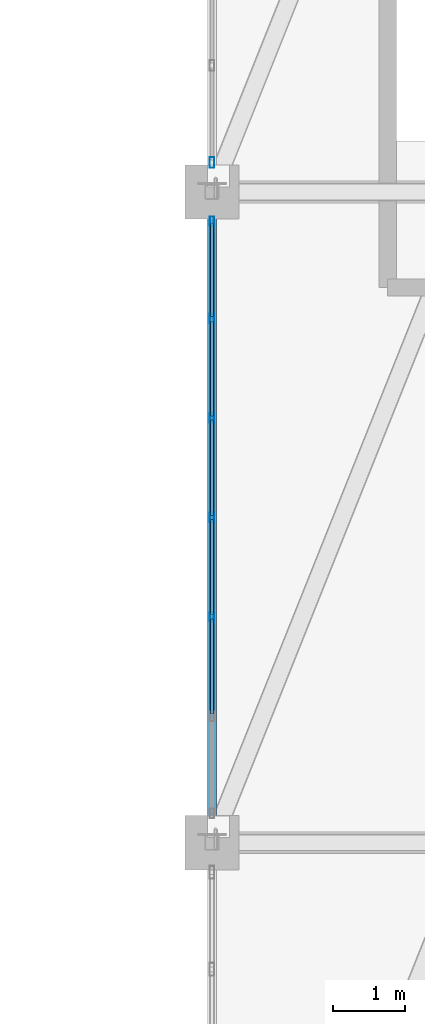
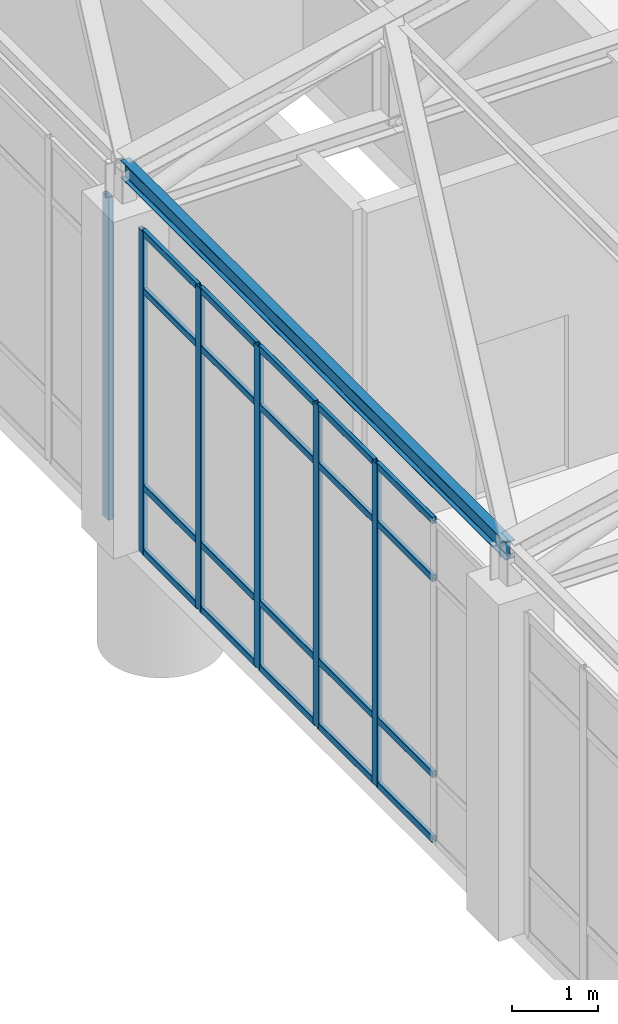
# One storey, part 19 of 139: 27 members, 2 elements without a shape of their own.
"""IFC4 building model written with IfcOpenShell, lengths in metres."""

from ifc_helpers import new_model, si_unit, direction, frame, origin, origin_2d, place, context, subcontext, project, spatial, hollow_rectangle, i_section, extrude, material, material_profile, profile_set, type_object, element, aggregate, save


model = new_model("IFC4")

# Units and contexts
model_context = context("Model", 3, precision=1e-05, world=origin(), true_north=direction((0.0, 1.0)))
body_context = subcontext(model_context, "Body", "Model", "MODEL_VIEW")
ifc_project = project(units=[si_unit("LENGTHUNIT", "METRE"), si_unit("AREAUNIT", "SQUARE_METRE"), si_unit("VOLUMEUNIT", "CUBIC_METRE"), si_unit("PLANEANGLEUNIT", "RADIAN"), si_unit("MASSUNIT", "GRAM", prefix="KILO")], contexts=[model_context])

# Site, building, storey
site_placement = place(None, origin())
site = spatial("IfcSite", under=ifc_project, at=site_placement, CompositionType="ELEMENT")
building_placement = place(site_placement, origin())
building = spatial("IfcBuilding", under=site, at=building_placement, Name="Canglan Escarpment Cableway Terminal", CompositionType="ELEMENT")
storey_placement = place(building_placement, frame((0.0, 0.0, 14.39990234375)))
storey = spatial("IfcBuildingStorey", under=building, at=storey_placement, Name="L03", CompositionType="ELEMENT", Elevation=14.39990234375)

# Curtain wall, members
ifc_material_1 = material(Name="Anodized bronze aluminium and Low-E double glazing", Category="aluminium")
curtain_wall_type = type_object("IfcCurtainWallType", Name="CW-BAY-8250x4600", PredefinedType="NOTDEFINED", material=ifc_material_1)
curtain_wall_1_placement = place(storey_placement, origin())
curtain_wall_1 = element("IfcCurtainWall", 1, at=curtain_wall_1_placement, inside=storey, type_object=curtain_wall_type, Name="Classical bay-between-piers glazed curtain wall CW-46", PredefinedType="NOTDEFINED")
ifc_material_2 = material(Name="Thermally broken anodized aluminium 6063-T6", Category="aluminium")
ifc_material_profile_1 = material_profile(ifc_material_2, hollow_rectangle(XDim=0.06005859375, YDim=0.1298828125, WallThickness=0.0029296875, InnerFilletRadius=0.0029296875, OuterFilletRadius=0.006103515625, at=origin_2d()), Name="ALU-MULL 60x130x3")
ifc_profile_set_1 = profile_set([ifc_material_profile_1], Name="Thermally broken anodized aluminium 6063-T6")
member_type_1 = type_object("IfcMemberType", Name="CWM-01", PredefinedType="MULLION", material=ifc_profile_set_1)
member_1_placement = place(storey_placement, frame((115.10009765625, 69.594970703125, 0.0), z_axis=(0.0, 0.0, 1.0), x_axis=(1.0, 0.0, 0.0)))
member_1 = element("IfcMember", 2, at=member_1_placement, type_object=member_type_1, Name="CW-46 mullion 1", PredefinedType="MULLION", context=body_context, shape_type="SweptSolid", body=[
    extrude(hollow_rectangle(XDim=0.06005859375, YDim=0.1298828125, WallThickness=0.0029296875, InnerFilletRadius=0.0029296875, OuterFilletRadius=0.006103515625, at=origin_2d()), origin(), (0.0, 0.0, 1.0), 4.60009765625),
])
member_2_placement = place(storey_placement, frame((115.10009765625, 68.25, 0.0), z_axis=(0.0, 0.0, 1.0), x_axis=(1.0, 0.0, 0.0)))
member_2 = element("IfcMember", 3, at=member_2_placement, type_object=member_type_1, Name="CW-46 mullion 2", PredefinedType="MULLION", context=body_context, shape_type="SweptSolid", body=[
    extrude(hollow_rectangle(XDim=0.06005859375, YDim=0.1298828125, WallThickness=0.0029296875, InnerFilletRadius=0.0029296875, OuterFilletRadius=0.006103515625, at=origin_2d()), origin(), (0.0, 0.0, 1.0), 4.60009765625),
])
member_3_placement = place(storey_placement, frame((115.10009765625, 66.875, 0.0), z_axis=(0.0, 0.0, 1.0), x_axis=(1.0, 0.0, 0.0)))
member_3 = element("IfcMember", 4, at=member_3_placement, type_object=member_type_1, Name="CW-46 mullion 3", PredefinedType="MULLION", context=body_context, shape_type="SweptSolid", body=[
    extrude(hollow_rectangle(XDim=0.06005859375, YDim=0.1298828125, WallThickness=0.0029296875, InnerFilletRadius=0.0029296875, OuterFilletRadius=0.006103515625, at=origin_2d()), origin(), (0.0, 0.0, 1.0), 4.60009765625),
])
member_4_placement = place(storey_placement, frame((115.10009765625, 65.5, 0.0), z_axis=(0.0, 0.0, 1.0), x_axis=(1.0, 0.0, 0.0)))
member_4 = element("IfcMember", 5, at=member_4_placement, type_object=member_type_1, Name="CW-46 mullion 4", PredefinedType="MULLION", context=body_context, shape_type="SweptSolid", body=[
    extrude(hollow_rectangle(XDim=0.06005859375, YDim=0.1298828125, WallThickness=0.0029296875, InnerFilletRadius=0.0029296875, OuterFilletRadius=0.006103515625, at=origin_2d()), origin(), (0.0, 0.0, 1.0), 4.60009765625),
])
member_5_placement = place(storey_placement, frame((115.10009765625, 64.125, 0.0), z_axis=(0.0, 0.0, 1.0), x_axis=(1.0, 0.0, 0.0)))
member_5 = element("IfcMember", 6, at=member_5_placement, type_object=member_type_1, Name="CW-46 mullion 5", PredefinedType="MULLION", context=body_context, shape_type="SweptSolid", body=[
    extrude(hollow_rectangle(XDim=0.06005859375, YDim=0.1298828125, WallThickness=0.0029296875, InnerFilletRadius=0.0029296875, OuterFilletRadius=0.006103515625, at=origin_2d()), origin(), (0.0, 0.0, 1.0), 4.60009765625),
])

# Curtain wall, member
curtain_wall_2_placement = place(storey_placement, origin())
curtain_wall_2 = element("IfcCurtainWall", 7, at=curtain_wall_2_placement, inside=storey, type_object=curtain_wall_type, Name="Classical bay-between-piers glazed curtain wall CW-46", PredefinedType="NOTDEFINED")
ifc_material_profile_2 = material_profile(ifc_material_2, hollow_rectangle(XDim=0.06494140625, YDim=0.14990234375, WallThickness=0.00341796875, InnerFilletRadius=0.00341796875, OuterFilletRadius=0.007080078125, at=origin_2d()), Name="ALU-MULL 65x150x3.5")
ifc_profile_set_2 = profile_set([ifc_material_profile_2], Name="Thermally broken anodized aluminium 6063-T6")
member_type_2 = type_object("IfcMemberType", Name="CWM-02", PredefinedType="MULLION", material=ifc_profile_set_2)
member_6_placement = place(storey_placement, frame((115.10009765625, 70.407470703125, 0.0), z_axis=(0.0, 0.0, 1.0), x_axis=(1.0, 0.0, 0.0)))
member_6 = element("IfcMember", 8, at=member_6_placement, type_object=member_type_2, Name="CW-46 mullion 7", PredefinedType="MULLION", context=body_context, shape_type="SweptSolid", body=[
    extrude(hollow_rectangle(XDim=0.06494140625, YDim=0.14990234375, WallThickness=0.00341796875, InnerFilletRadius=0.00341796875, OuterFilletRadius=0.007080078125, at=origin_2d()), origin(), (0.0, 0.0, 1.0), 4.60009765625),
])
aggregate(curtain_wall_2, [member_6])

# Member
ifc_material_profile_3 = material_profile(ifc_material_2, hollow_rectangle(XDim=0.054931640625, YDim=0.094970703125, WallThickness=0.0029296875, InnerFilletRadius=0.0029296875, OuterFilletRadius=0.006103515625, at=origin_2d()), Name="ALU-TRAN 55x95x3")
ifc_profile_set_3 = profile_set([ifc_material_profile_3], Name="Thermally broken anodized aluminium 6063-T6")
member_type_3 = type_object("IfcMemberType", Name="CWT-01", PredefinedType="USERDEFINED", material=ifc_profile_set_3)
member_7_placement = place(storey_placement, frame((115.10009765625, 69.56494140625, 0.027587890625), z_axis=(0.0, -1.0, 0.0), x_axis=(1.0, 0.0, 0.0)))
member_7 = element("IfcMember", 9, at=member_7_placement, type_object=member_type_3, Name="CW-46 transom 1.1", ObjectType="TRANSOM", PredefinedType="USERDEFINED", context=body_context, shape_type="SweptSolid", body=[
    extrude(hollow_rectangle(XDim=0.054931640625, YDim=0.094970703125, WallThickness=0.0029296875, InnerFilletRadius=0.0029296875, OuterFilletRadius=0.006103515625, at=origin_2d()), origin(), (0.0, 0.0, 1.0), 1.284912109375),
])

member_8_placement = place(storey_placement, frame((115.10009765625, 69.56494140625, 0.9501953125), z_axis=(0.0, -1.0, 0.0), x_axis=(1.0, 0.0, 0.0)))
member_8 = element("IfcMember", 10, at=member_8_placement, type_object=member_type_3, Name="CW-46 transom 1.2", ObjectType="TRANSOM", PredefinedType="USERDEFINED", context=body_context, shape_type="SweptSolid", body=[
    extrude(hollow_rectangle(XDim=0.054931640625, YDim=0.094970703125, WallThickness=0.0029296875, InnerFilletRadius=0.0029296875, OuterFilletRadius=0.006103515625, at=origin_2d()), origin(), (0.0, 0.0, 1.0), 1.284912109375),
])

member_9_placement = place(storey_placement, frame((115.10009765625, 69.56494140625, 3.75), z_axis=(0.0, -1.0, 0.0), x_axis=(1.0, 0.0, 0.0)))
member_9 = element("IfcMember", 11, at=member_9_placement, type_object=member_type_3, Name="CW-46 transom 1.3", ObjectType="TRANSOM", PredefinedType="USERDEFINED", context=body_context, shape_type="SweptSolid", body=[
    extrude(hollow_rectangle(XDim=0.054931640625, YDim=0.094970703125, WallThickness=0.0029296875, InnerFilletRadius=0.0029296875, OuterFilletRadius=0.006103515625, at=origin_2d()), origin(), (0.0, 0.0, 1.0), 1.284912109375),
])

member_10_placement = place(storey_placement, frame((115.10009765625, 69.56494140625, 4.572509765625), z_axis=(0.0, -1.0, 0.0), x_axis=(1.0, 0.0, 0.0)))
member_10 = element("IfcMember", 12, at=member_10_placement, type_object=member_type_3, Name="CW-46 transom 1.4", ObjectType="TRANSOM", PredefinedType="USERDEFINED", context=body_context, shape_type="SweptSolid", body=[
    extrude(hollow_rectangle(XDim=0.054931640625, YDim=0.094970703125, WallThickness=0.0029296875, InnerFilletRadius=0.0029296875, OuterFilletRadius=0.006103515625, at=origin_2d()), origin(), (0.0, 0.0, 1.0), 1.284912109375),
])

member_11_placement = place(storey_placement, frame((115.10009765625, 68.219970703125, 0.027587890625), z_axis=(0.0, -1.0, 0.0), x_axis=(1.0, 0.0, 0.0)))
member_11 = element("IfcMember", 13, at=member_11_placement, type_object=member_type_3, Name="CW-46 transom 2.1", ObjectType="TRANSOM", PredefinedType="USERDEFINED", context=body_context, shape_type="SweptSolid", body=[
    extrude(hollow_rectangle(XDim=0.054931640625, YDim=0.094970703125, WallThickness=0.0029296875, InnerFilletRadius=0.0029296875, OuterFilletRadius=0.006103515625, at=origin_2d()), origin(), (0.0, 0.0, 1.0), 1.31494140625),
])

member_12_placement = place(storey_placement, frame((115.10009765625, 68.219970703125, 0.9501953125), z_axis=(0.0, -1.0, 0.0), x_axis=(1.0, 0.0, 0.0)))
member_12 = element("IfcMember", 14, at=member_12_placement, type_object=member_type_3, Name="CW-46 transom 2.2", ObjectType="TRANSOM", PredefinedType="USERDEFINED", context=body_context, shape_type="SweptSolid", body=[
    extrude(hollow_rectangle(XDim=0.054931640625, YDim=0.094970703125, WallThickness=0.0029296875, InnerFilletRadius=0.0029296875, OuterFilletRadius=0.006103515625, at=origin_2d()), origin(), (0.0, 0.0, 1.0), 1.31494140625),
])

member_13_placement = place(storey_placement, frame((115.10009765625, 68.219970703125, 3.75), z_axis=(0.0, -1.0, 0.0), x_axis=(1.0, 0.0, 0.0)))
member_13 = element("IfcMember", 15, at=member_13_placement, type_object=member_type_3, Name="CW-46 transom 2.3", ObjectType="TRANSOM", PredefinedType="USERDEFINED", context=body_context, shape_type="SweptSolid", body=[
    extrude(hollow_rectangle(XDim=0.054931640625, YDim=0.094970703125, WallThickness=0.0029296875, InnerFilletRadius=0.0029296875, OuterFilletRadius=0.006103515625, at=origin_2d()), origin(), (0.0, 0.0, 1.0), 1.31494140625),
])

member_14_placement = place(storey_placement, frame((115.10009765625, 68.219970703125, 4.572509765625), z_axis=(0.0, -1.0, 0.0), x_axis=(1.0, 0.0, 0.0)))
member_14 = element("IfcMember", 16, at=member_14_placement, type_object=member_type_3, Name="CW-46 transom 2.4", ObjectType="TRANSOM", PredefinedType="USERDEFINED", context=body_context, shape_type="SweptSolid", body=[
    extrude(hollow_rectangle(XDim=0.054931640625, YDim=0.094970703125, WallThickness=0.0029296875, InnerFilletRadius=0.0029296875, OuterFilletRadius=0.006103515625, at=origin_2d()), origin(), (0.0, 0.0, 1.0), 1.31494140625),
])

member_15_placement = place(storey_placement, frame((115.10009765625, 66.844970703125, 0.027587890625), z_axis=(0.0, -1.0, 0.0), x_axis=(1.0, 0.0, 0.0)))
member_15 = element("IfcMember", 17, at=member_15_placement, type_object=member_type_3, Name="CW-46 transom 3.1", ObjectType="TRANSOM", PredefinedType="USERDEFINED", context=body_context, shape_type="SweptSolid", body=[
    extrude(hollow_rectangle(XDim=0.054931640625, YDim=0.094970703125, WallThickness=0.0029296875, InnerFilletRadius=0.0029296875, OuterFilletRadius=0.006103515625, at=origin_2d()), origin(), (0.0, 0.0, 1.0), 1.31494140625),
])

member_16_placement = place(storey_placement, frame((115.10009765625, 66.844970703125, 0.9501953125), z_axis=(0.0, -1.0, 0.0), x_axis=(1.0, 0.0, 0.0)))
member_16 = element("IfcMember", 18, at=member_16_placement, type_object=member_type_3, Name="CW-46 transom 3.2", ObjectType="TRANSOM", PredefinedType="USERDEFINED", context=body_context, shape_type="SweptSolid", body=[
    extrude(hollow_rectangle(XDim=0.054931640625, YDim=0.094970703125, WallThickness=0.0029296875, InnerFilletRadius=0.0029296875, OuterFilletRadius=0.006103515625, at=origin_2d()), origin(), (0.0, 0.0, 1.0), 1.31494140625),
])

member_17_placement = place(storey_placement, frame((115.10009765625, 66.844970703125, 3.75), z_axis=(0.0, -1.0, 0.0), x_axis=(1.0, 0.0, 0.0)))
member_17 = element("IfcMember", 19, at=member_17_placement, type_object=member_type_3, Name="CW-46 transom 3.3", ObjectType="TRANSOM", PredefinedType="USERDEFINED", context=body_context, shape_type="SweptSolid", body=[
    extrude(hollow_rectangle(XDim=0.054931640625, YDim=0.094970703125, WallThickness=0.0029296875, InnerFilletRadius=0.0029296875, OuterFilletRadius=0.006103515625, at=origin_2d()), origin(), (0.0, 0.0, 1.0), 1.31494140625),
])

member_18_placement = place(storey_placement, frame((115.10009765625, 66.844970703125, 4.572509765625), z_axis=(0.0, -1.0, 0.0), x_axis=(1.0, 0.0, 0.0)))
member_18 = element("IfcMember", 20, at=member_18_placement, type_object=member_type_3, Name="CW-46 transom 3.4", ObjectType="TRANSOM", PredefinedType="USERDEFINED", context=body_context, shape_type="SweptSolid", body=[
    extrude(hollow_rectangle(XDim=0.054931640625, YDim=0.094970703125, WallThickness=0.0029296875, InnerFilletRadius=0.0029296875, OuterFilletRadius=0.006103515625, at=origin_2d()), origin(), (0.0, 0.0, 1.0), 1.31494140625),
])

member_19_placement = place(storey_placement, frame((115.10009765625, 65.469970703125, 0.027587890625), z_axis=(0.0, -1.0, 0.0), x_axis=(1.0, 0.0, 0.0)))
member_19 = element("IfcMember", 21, at=member_19_placement, type_object=member_type_3, Name="CW-46 transom 4.1", ObjectType="TRANSOM", PredefinedType="USERDEFINED", context=body_context, shape_type="SweptSolid", body=[
    extrude(hollow_rectangle(XDim=0.054931640625, YDim=0.094970703125, WallThickness=0.0029296875, InnerFilletRadius=0.0029296875, OuterFilletRadius=0.006103515625, at=origin_2d()), origin(), (0.0, 0.0, 1.0), 1.31494140625),
])

member_20_placement = place(storey_placement, frame((115.10009765625, 65.469970703125, 0.9501953125), z_axis=(0.0, -1.0, 0.0), x_axis=(1.0, 0.0, 0.0)))
member_20 = element("IfcMember", 22, at=member_20_placement, type_object=member_type_3, Name="CW-46 transom 4.2", ObjectType="TRANSOM", PredefinedType="USERDEFINED", context=body_context, shape_type="SweptSolid", body=[
    extrude(hollow_rectangle(XDim=0.054931640625, YDim=0.094970703125, WallThickness=0.0029296875, InnerFilletRadius=0.0029296875, OuterFilletRadius=0.006103515625, at=origin_2d()), origin(), (0.0, 0.0, 1.0), 1.31494140625),
])

member_21_placement = place(storey_placement, frame((115.10009765625, 65.469970703125, 3.75), z_axis=(0.0, -1.0, 0.0), x_axis=(1.0, 0.0, 0.0)))
member_21 = element("IfcMember", 23, at=member_21_placement, type_object=member_type_3, Name="CW-46 transom 4.3", ObjectType="TRANSOM", PredefinedType="USERDEFINED", context=body_context, shape_type="SweptSolid", body=[
    extrude(hollow_rectangle(XDim=0.054931640625, YDim=0.094970703125, WallThickness=0.0029296875, InnerFilletRadius=0.0029296875, OuterFilletRadius=0.006103515625, at=origin_2d()), origin(), (0.0, 0.0, 1.0), 1.31494140625),
])

member_22_placement = place(storey_placement, frame((115.10009765625, 65.469970703125, 4.572509765625), z_axis=(0.0, -1.0, 0.0), x_axis=(1.0, 0.0, 0.0)))
member_22 = element("IfcMember", 24, at=member_22_placement, type_object=member_type_3, Name="CW-46 transom 4.4", ObjectType="TRANSOM", PredefinedType="USERDEFINED", context=body_context, shape_type="SweptSolid", body=[
    extrude(hollow_rectangle(XDim=0.054931640625, YDim=0.094970703125, WallThickness=0.0029296875, InnerFilletRadius=0.0029296875, OuterFilletRadius=0.006103515625, at=origin_2d()), origin(), (0.0, 0.0, 1.0), 1.31494140625),
])

member_23_placement = place(storey_placement, frame((115.10009765625, 64.094970703125, 0.027587890625), z_axis=(0.0, -1.0, 0.0), x_axis=(1.0, 0.0, 0.0)))
member_23 = element("IfcMember", 25, at=member_23_placement, type_object=member_type_3, Name="CW-46 transom 5.1", ObjectType="TRANSOM", PredefinedType="USERDEFINED", context=body_context, shape_type="SweptSolid", body=[
    extrude(hollow_rectangle(XDim=0.054931640625, YDim=0.094970703125, WallThickness=0.0029296875, InnerFilletRadius=0.0029296875, OuterFilletRadius=0.006103515625, at=origin_2d()), origin(), (0.0, 0.0, 1.0), 1.31494140625),
])

member_24_placement = place(storey_placement, frame((115.10009765625, 64.094970703125, 0.9501953125), z_axis=(0.0, -1.0, 0.0), x_axis=(1.0, 0.0, 0.0)))
member_24 = element("IfcMember", 26, at=member_24_placement, type_object=member_type_3, Name="CW-46 transom 5.2", ObjectType="TRANSOM", PredefinedType="USERDEFINED", context=body_context, shape_type="SweptSolid", body=[
    extrude(hollow_rectangle(XDim=0.054931640625, YDim=0.094970703125, WallThickness=0.0029296875, InnerFilletRadius=0.0029296875, OuterFilletRadius=0.006103515625, at=origin_2d()), origin(), (0.0, 0.0, 1.0), 1.31494140625),
])

member_25_placement = place(storey_placement, frame((115.10009765625, 64.094970703125, 3.75), z_axis=(0.0, -1.0, 0.0), x_axis=(1.0, 0.0, 0.0)))
member_25 = element("IfcMember", 27, at=member_25_placement, type_object=member_type_3, Name="CW-46 transom 5.3", ObjectType="TRANSOM", PredefinedType="USERDEFINED", context=body_context, shape_type="SweptSolid", body=[
    extrude(hollow_rectangle(XDim=0.054931640625, YDim=0.094970703125, WallThickness=0.0029296875, InnerFilletRadius=0.0029296875, OuterFilletRadius=0.006103515625, at=origin_2d()), origin(), (0.0, 0.0, 1.0), 1.31494140625),
])

member_26_placement = place(storey_placement, frame((115.10009765625, 64.094970703125, 4.572509765625), z_axis=(0.0, -1.0, 0.0), x_axis=(1.0, 0.0, 0.0)))
member_26 = element("IfcMember", 28, at=member_26_placement, type_object=member_type_3, Name="CW-46 transom 5.4", ObjectType="TRANSOM", PredefinedType="USERDEFINED", context=body_context, shape_type="SweptSolid", body=[
    extrude(hollow_rectangle(XDim=0.054931640625, YDim=0.094970703125, WallThickness=0.0029296875, InnerFilletRadius=0.0029296875, OuterFilletRadius=0.006103515625, at=origin_2d()), origin(), (0.0, 0.0, 1.0), 1.31494140625),
])

aggregate(curtain_wall_1, [member_1, member_2, member_3, member_4, member_5, member_7, member_8, member_9, member_10, member_11, member_12, member_13, member_14, member_15, member_16, member_17, member_18, member_19, member_20, member_21, member_22, member_23, member_24, member_25, member_26])

ifc_material_3 = material(Name="Steel Q355B", Category="steel")
ifc_material_profile_4 = material_profile(ifc_material_3, i_section(OverallWidth=0.125, OverallDepth=0.25, WebThickness=0.006103515625, FlangeThickness=0.009033203125, FilletRadius=0.011962890625, at=origin_2d()), Name="HN 250x125x6x9")
ifc_profile_set_4 = profile_set([ifc_material_profile_4], Name="Steel Q355B")
member_type_4 = type_object("IfcMemberType", Name="MB-GARAGE-PUR-HN250", PredefinedType="PURLIN", material=ifc_profile_set_4)
member_27_placement = place(storey_placement, frame((115.10009765625, 61.0, 5.22998046875), z_axis=(0.0, 1.0, 0.0), x_axis=(-1.0, 0.0, 0.0)))
element("IfcMember", 29, at=member_27_placement, inside=storey, type_object=member_type_4, Name="Cabin Garage roof purlin PR-02", PredefinedType="PURLIN", context=body_context, shape_type="SweptSolid", body=[
    extrude(i_section(OverallWidth=0.125, OverallDepth=0.25, WebThickness=0.006103515625, FlangeThickness=0.009033203125, FilletRadius=0.011962890625, at=origin_2d()), origin(), (0.0, 0.0, 1.0), 9.0),
])

save(model, "model.ifc")
